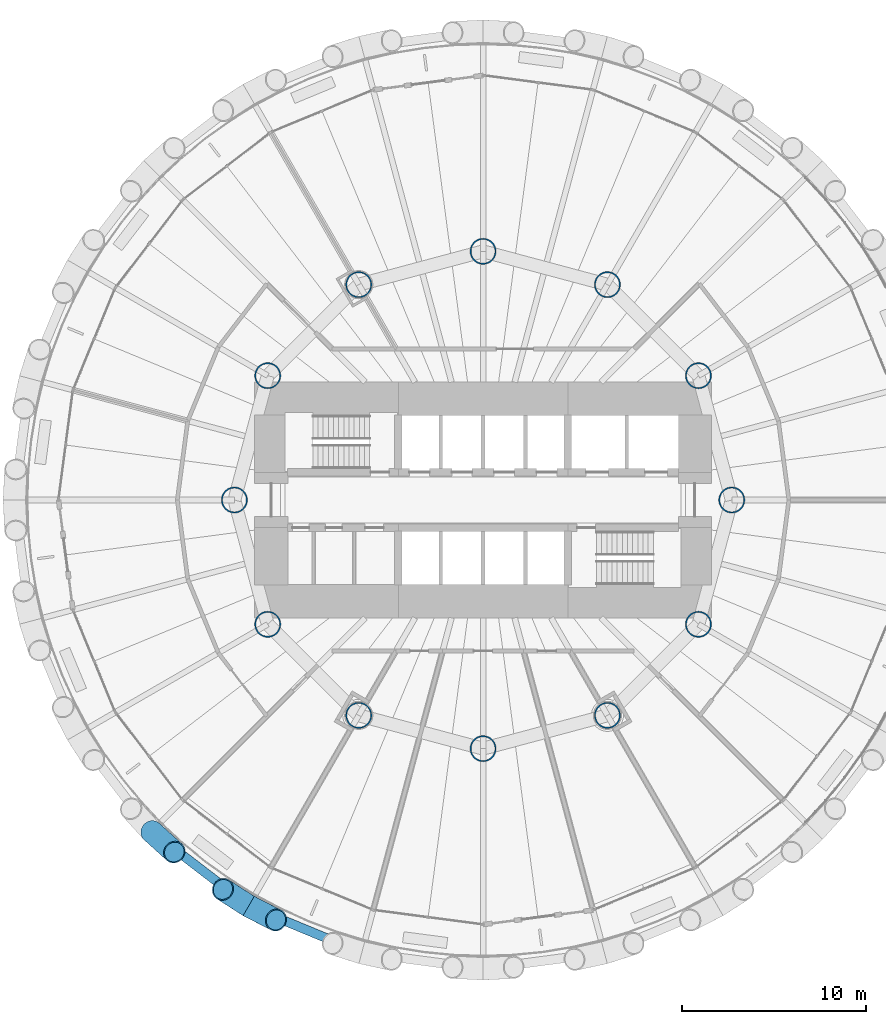
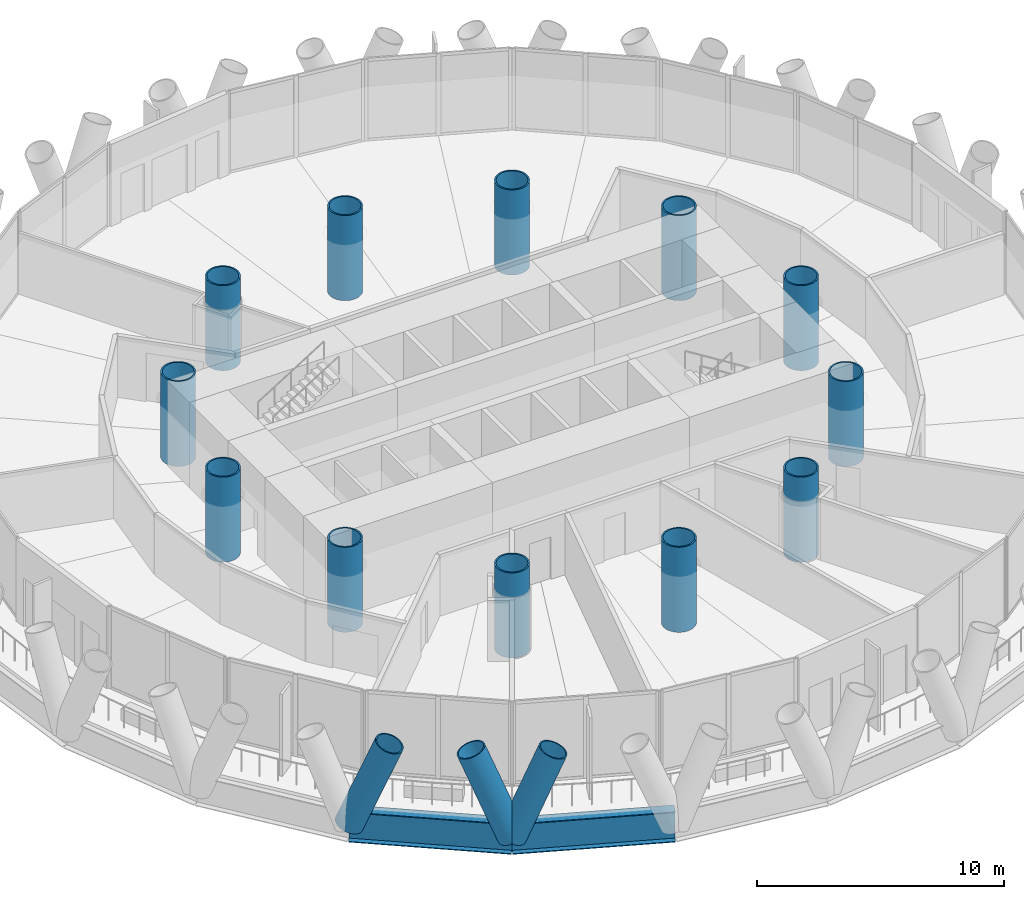
# One storey, part 1 of 14: 12 columns, 3 members, 2 beams.
"""IFC4 building model written with IfcOpenShell, lengths in metres."""

import ifcopenshell
import ifcopenshell.guid

model = None  # the IFC model being written
_history = None  # IfcOwnerHistory: only IFC2X3 demands one
_inside = {}  # id of a spatial element -> (the spatial element, [elements in it])
_under = {}  # id of a project, library or spatial element -> (it, [spatial elements below it])
_declared = {}  # id of a project -> (the project, [libraries it declares])
_typed = {}  # id of a type object -> (the type object, [elements of that type])
_made_of = {}  # id of a material, layer set ... -> (it, [elements and type objects made of it])


def new_model(schema):
    """Start an empty IFC model of exactly this schema.

    Asked for "IFC4X3", IfcOpenShell would pick the latest addendum, in which some entities
    have other attributes; the version numbers below select the first issue.
    IFC2X3 requires an IfcOwnerHistory on every rooted entity: one is made here for all.
    """
    global model, _history
    if schema == "IFC4X3":
        model = ifcopenshell.file(schema_version=(4, 3, 0, 0))
    else:
        model = ifcopenshell.file(schema=schema)
    _inside.clear()
    _under.clear()
    _declared.clear()
    _typed.clear()
    _made_of.clear()
    _history = None
    if model.schema == "IFC2X3":
        org = make("IfcOrganization", Name="unknown")
        user = make(
            "IfcPersonAndOrganization",
            ThePerson=make("IfcPerson", FamilyName="unknown"),
            TheOrganization=org,
        )
        app = make(
            "IfcApplication",
            ApplicationDeveloper=org,
            Version="unknown",
            ApplicationFullName="unknown",
            ApplicationIdentifier="unknown",
        )
        _history = make(
            "IfcOwnerHistory",
            OwningUser=user,
            OwningApplication=app,
            ChangeAction="ADDED",
            CreationDate=0,
        )
    return model


def make(cls, **values):
    """One entity of the class cls with the attributes given. An attribute that is None is left unset."""
    return model.create_entity(
        cls, **{name: value for name, value in values.items() if value is not None}
    )


def rooted(cls, **values):
    """An entity with a GlobalId (a new one), such as an element, a storey or a relation."""
    return make(cls, GlobalId=ifcopenshell.guid.new(), OwnerHistory=_history, **values)


def si_unit(unit_type, name, prefix=None):
    """IfcSIUnit, for example si_unit("LENGTHUNIT", "METRE", prefix="MILLI")."""
    return make("IfcSIUnit", UnitType=unit_type, Prefix=prefix, Name=name)


def assignment(units):
    """IfcUnitAssignment: the units of a project."""
    return None if units is None else make("IfcUnitAssignment", Units=units)


def point(xyz):
    """IfcCartesianPoint."""
    return None if xyz is None else make("IfcCartesianPoint", Coordinates=xyz)


def direction(xyz):
    """IfcDirection."""
    return None if xyz is None else make("IfcDirection", DirectionRatios=xyz)


def frame(location, z_axis=None, x_axis=None):
    """IfcAxis2Placement3D, a coordinate frame: its origin and axes. An axis left out is left unset."""
    return make(
        "IfcAxis2Placement3D",
        Location=point(location),
        Axis=direction(z_axis),
        RefDirection=direction(x_axis),
    )


def frame_2d(location, x_axis=None):
    """IfcAxis2Placement2D, a coordinate frame in the plane: its origin and x axis."""
    return make(
        "IfcAxis2Placement2D", Location=point(location), RefDirection=direction(x_axis)
    )


def origin():
    """The frame at (0, 0, 0) with its axes left unset."""
    return frame((0.0, 0.0, 0.0))


def origin_2d():
    """The frame at (0, 0) in the plane with its x axis left unset."""
    return frame_2d((0.0, 0.0))


def place(relative_to, where):
    """IfcLocalPlacement: puts the frame where relative to a parent placement (None: the world)."""
    return make(
        "IfcLocalPlacement", PlacementRelTo=relative_to, RelativePlacement=where
    )


def context(
    kind, dimensions, precision=None, world=None, true_north=None, identifier=None
):
    """IfcGeometricRepresentationContext, for example the 3D "Model" context."""
    return make(
        "IfcGeometricRepresentationContext",
        ContextIdentifier=identifier,
        ContextType=kind,
        CoordinateSpaceDimension=dimensions,
        Precision=precision,
        WorldCoordinateSystem=world,
        TrueNorth=true_north,
    )


def subcontext(parent, identifier, kind, view, scale=None):
    """IfcGeometricRepresentationSubContext, for example "Body" below "Model"."""
    return make(
        "IfcGeometricRepresentationSubContext",
        ContextIdentifier=identifier,
        ContextType=kind,
        ParentContext=parent,
        TargetScale=scale,
        TargetView=view,
    )


def project(units=None, contexts=None):
    """IfcProject with its units and contexts."""
    return rooted(
        "IfcProject",
        Name="project",
        RepresentationContexts=contexts,
        UnitsInContext=assignment(units),
    )


def spatial(cls, under=None, at=None, **own):
    """A site, building, storey or space (cls), placed at a placement, below another one or the project."""
    s = rooted(cls, ObjectPlacement=at, **own)
    if under is not None:
        _under.setdefault(under.id(), (under, []))[1].append(s)
    return s


def profile(cls, at=None, kind="AREA", **sizes):
    """A parametric profile (cls). Its sizes go by their IFC names, for example OverallWidth=200.0."""
    return make(cls, ProfileType=kind, Position=at, **sizes)


def hollow_circle(**sizes):
    """IfcCircleHollowProfileDef."""
    return profile("IfcCircleHollowProfileDef", **sizes)


def i_section(**sizes):
    """IfcIShapeProfileDef."""
    return profile("IfcIShapeProfileDef", **sizes)


def extrude(swept, where, along, depth):
    """IfcExtrudedAreaSolid: the profile swept, set in the frame where, extruded along a direction by depth."""
    return make(
        "IfcExtrudedAreaSolid",
        SweptArea=swept,
        Position=where,
        ExtrudedDirection=direction(along),
        Depth=depth,
    )


def shape(context_of_items, identifier, shape_type, items):
    """IfcShapeRepresentation: the items that make up one representation, for example the "Body"."""
    return make(
        "IfcShapeRepresentation",
        ContextOfItems=context_of_items,
        RepresentationIdentifier=identifier,
        RepresentationType=shape_type,
        Items=items,
    )


def material(Name=None, Category=None):
    """IfcMaterial."""
    return make("IfcMaterial", Name=Name, Category=Category)


def material_profile(
    of_material, cross_section, Name=None, Category=None, Priority=None
):
    """IfcMaterialProfile: a cross section and its material."""
    return make(
        "IfcMaterialProfile",
        Name=Name,
        Material=of_material,
        Profile=cross_section,
        Priority=Priority,
        Category=Category,
    )


def profile_set(profiles, Name=None, composite=None):
    """IfcMaterialProfileSet."""
    return make(
        "IfcMaterialProfileSet",
        Name=Name,
        MaterialProfiles=profiles,
        CompositeProfile=composite,
    )


def made_of(thing, what):
    """Note that an element or type object is made of a material, layer set ...; save() writes the relation."""
    if what is not None:
        _made_of.setdefault(what.id(), (what, []))[1].append(thing)
    return thing


def type_object(cls, material=None, **own):
    """A type object (cls), such as IfcWallType, which elements share."""
    return made_of(rooted(cls, **own), material)


def element(
    cls,
    number,
    at=None,
    inside=None,
    cuts=None,
    type_object=None,
    material=None,
    context=None,
    identifier="Body",
    shape_type=None,
    held_by="IfcProductDefinitionShape",
    body=None,
    shapes=None,
    **own,
):
    """One element of the class cls, such as IfcWall. Its Tag is "e" and its number.

    at: its placement. inside: the storey or other place that contains it. cuts: it is an
    opening in that element (IfcRelVoidsElement). A single representation is given by context,
    identifier, shape_type and body (its items); several are given by shapes. held_by: the class
    of the entity that holds the representations. save() writes the other relations.
    """
    e = rooted(cls, Tag="e%d" % number, ObjectPlacement=at, **own)
    if body is not None:
        shapes = [shape(context, identifier, shape_type, body)]
    if shapes is not None:
        e.Representation = make(held_by, Representations=shapes)
    if inside is not None:
        _inside.setdefault(inside.id(), (inside, []))[1].append(e)
    if cuts is not None:
        rooted(
            "IfcRelVoidsElement", RelatingBuildingElement=cuts, RelatedOpeningElement=e
        )
    if type_object is not None:
        _typed.setdefault(type_object.id(), (type_object, []))[1].append(e)
    return made_of(e, material)


def aggregate(whole, parts):
    """IfcRelAggregates: a whole, such as a stair, and the parts it consists of."""
    return rooted("IfcRelAggregates", RelatingObject=whole, RelatedObjects=parts)


def save(model, path):
    """Write the relations noted so far, then the file.

    IfcRelAggregates (storeys below a building ...), IfcRelContainedInSpatialStructure (elements
    in a storey), IfcRelDefinesByType, IfcRelAssociatesMaterial and IfcRelDeclares: one each for
    every whole, place, type object, material and project.
    """
    for whole, parts in _under.values():
        aggregate(whole, parts)
    for where, things in _inside.values():
        rooted(
            "IfcRelContainedInSpatialStructure",
            RelatedElements=things,
            RelatingStructure=where,
        )
    for kind, things in _typed.values():
        rooted("IfcRelDefinesByType", RelatedObjects=things, RelatingType=kind)
    for what, things in _made_of.values():
        rooted("IfcRelAssociatesMaterial", RelatedObjects=things, RelatingMaterial=what)
    for by, libraries in _declared.values():
        rooted("IfcRelDeclares", RelatingContext=by, RelatedDefinitions=libraries)
    model.write(path)


model = new_model("IFC4")

# Units and contexts
model_context = context("Model", 3, precision=1e-05, world=origin(), true_north=direction((0.0, 1.0)))
body_context = subcontext(model_context, "Body", "Model", "MODEL_VIEW")
ifc_project = project(units=[si_unit("LENGTHUNIT", "METRE"), si_unit("AREAUNIT", "SQUARE_METRE"), si_unit("VOLUMEUNIT", "CUBIC_METRE"), si_unit("PLANEANGLEUNIT", "RADIAN"), si_unit("MASSUNIT", "GRAM", prefix="KILO")], contexts=[model_context])

# Site, building, storey
site_placement = place(None, origin())
site = spatial("IfcSite", under=ifc_project, at=site_placement, CompositionType="ELEMENT")
building_placement = place(site_placement, origin())
building = spatial("IfcBuilding", under=site, at=building_placement, Name="Qaws Media Tower", CompositionType="ELEMENT")
storey_placement = place(building_placement, frame((0.0, 0.0, 93.199951171875)))
storey = spatial("IfcBuildingStorey", under=building, at=storey_placement, Name="L20", CompositionType="ELEMENT", Elevation=93.199951171875)

# Columns
ifc_material_1 = material(Name="Steel S460", Category="steel")
ifc_material_profile_1 = material_profile(ifc_material_1, hollow_circle(Radius=0.7109375, WallThickness=0.070068359375, at=origin_2d()), Name="CHS 1422x70")
ifc_profile_set_1 = profile_set([ifc_material_profile_1], Name="Steel S460")
column_type = type_object("IfcColumnType", Name="Inner column CHS 1422x70", PredefinedType="COLUMN", material=ifc_profile_set_1)
for number, where, z_axis, x_axis, name in (
    (1, (73.5, 50.0, 0.0), (0.0, 0.0, 1.0), (1.0, 0.0, 0.0), "C5 inner column I01 L20"),
    (2, (71.69140625, 56.75, 0.0), (0.0, 0.0, 1.0), (1.0, 0.0, 0.0), "C5 inner column I02 L20"),
    (3, (66.75, 61.69140625, 0.0), (0.0, 0.0, 1.0), (1.0, 0.0, 0.0), "C5 inner column I03 L20"),
    (4, (60.0, 63.5, 0.0), (0.0, 0.0, 1.0), (1.0, 0.0, 0.0), "C5 inner column I04 L20"),
    (5, (53.25, 61.69140625, 0.0), (0.0, 0.0, 1.0), (1.0, 0.0, 0.0), "C5 inner column I05 L20"),
    (6, (48.30859375, 56.75, 0.0), (0.0, 0.0, 1.0), (1.0, 0.0, 0.0), "C5 inner column I06 L20"),
    (7, (46.5, 50.0, 0.0), (0.0, 0.0, 1.0), (1.0, 0.0, 0.0), "C5 inner column I07 L20"),
    (8, (48.30859375, 43.25, 0.0), (0.0, 0.0, 1.0), (1.0, 0.0, 0.0), "C5 inner column I08 L20"),
    (9, (53.25, 38.30859375, 0.0), (0.0, 0.0, 1.0), (1.0, 0.0, 0.0), "C5 inner column I09 L20"),
    (10, (60.0, 36.5, 0.0), (0.0, 0.0, 1.0), (1.0, 0.0, 0.0), "C5 inner column I10 L20"),
    (11, (66.75, 38.30859375, 0.0), (0.0, 0.0, 1.0), (1.0, 0.0, 0.0), "C5 inner column I11 L20"),
    (12, (71.69140625, 43.25, 0.0), (0.0, 0.0, 1.0), (1.0, 0.0, 0.0), "C5 inner column I12 L20"),
):
    element("IfcColumn", number, at=place(storey_placement, frame(where, z_axis=z_axis, x_axis=x_axis)), inside=storey, type_object=column_type, Name=name, PredefinedType="COLUMN", context=body_context, shape_type="SweptSolid", body=[
        extrude(hollow_circle(Radius=0.7109375, WallThickness=0.070068359375, at=origin_2d()), origin(), (0.0, 0.0, 1.0), 4.199951171875),
    ])

# Members
ifc_material_2 = material(Name="Steel S460", Category="steel")
ifc_material_profile_2 = material_profile(ifc_material_2, hollow_circle(Radius=0.609619140625, WallThickness=0.06005859375, at=origin_2d()), Name="CHS 1219x60")
ifc_profile_set_2 = profile_set([ifc_material_profile_2], Name="Steel S460")
member_type = type_object("IfcMemberType", Name="Diagrid member CHS 1219x60", PredefinedType="USERDEFINED", material=ifc_profile_set_2)
for number, where, z_axis, x_axis, name in (
    (13, (42.004150390625, 32.004150390625, -0.909912109375), (0.272682383368, -0.247824298479, 0.929638335529), (0.672570591963, 0.740032971445, 0.0), "DG1 diagrid L20 A16"),
    (14, (47.27490234375, 27.959716796875, -0.909912109375), (0.327579770816, -0.168815441114, 0.929619729026), (0.458090025159, 0.888905804262, 0.0), "DG1 diagrid L20 A17"),
    (15, (47.27490234375, 27.959716796875, -0.909912109375), (-0.309968536271, 0.199242327969, 0.929635413088), (-0.540713117879, -0.84120706378, 0.0), "DG1 diagrid L20 B17"),
):
    element("IfcMember", number, at=place(storey_placement, frame(where, z_axis=z_axis, x_axis=x_axis)), inside=storey, type_object=member_type, Name=name, ObjectType="DIAGRID", PredefinedType="USERDEFINED", context=body_context, shape_type="SweptSolid", body=[
        extrude(hollow_circle(Radius=0.609619140625, WallThickness=0.06005859375, at=origin_2d()), origin(), (0.0, 0.0, 1.0), 4.517822265625),
    ])

# Beams
ifc_material_3 = material(Name="Steel S460", Category="steel")
ifc_material_profile_3 = material_profile(ifc_material_3, i_section(OverallWidth=0.5, OverallDepth=1.5, WebThickness=0.02001953125, FlangeThickness=0.0400390625, at=origin_2d()), Name="PG 1500x500")
ifc_profile_set_3 = profile_set([ifc_material_profile_3], Name="Steel S460")
beam_type = type_object("IfcBeamType", Name="Edge ring beam PG 1500x500", PredefinedType="BEAM", material=ifc_profile_set_3)
beam_1_placement = place(storey_placement, frame((42.004150390625, 32.004150390625, -0.909912109375), z_axis=(0.793350187256, -0.608765538102, 0.0), x_axis=(0.608765538102, 0.793350187256, 0.0)))
element("IfcBeam", 16, at=beam_1_placement, inside=storey, type_object=beam_type, Name="RB4 edge ring beam L20-16", PredefinedType="BEAM", context=body_context, shape_type="SweptSolid", body=[
    extrude(i_section(OverallWidth=0.5, OverallDepth=1.5, WebThickness=0.02001953125, FlangeThickness=0.0400390625, at=origin_2d()), origin(), (0.0, 0.0, 1.0), 6.6435546875),
])
beam_2_placement = place(storey_placement, frame((47.27490234375, 27.959716796875, -0.909912109375), z_axis=(0.923881577225, -0.382678495952, 0.0), x_axis=(0.382678495952, 0.923881577225, 0.0)))
element("IfcBeam", 17, at=beam_2_placement, inside=storey, type_object=beam_type, Name="RB4 edge ring beam L20-17", PredefinedType="BEAM", context=body_context, shape_type="SweptSolid", body=[
    extrude(i_section(OverallWidth=0.5, OverallDepth=1.5, WebThickness=0.02001953125, FlangeThickness=0.0400390625, at=origin_2d()), origin(), (0.0, 0.0, 1.0), 6.643798828125),
])

save(model, "model.ifc")
